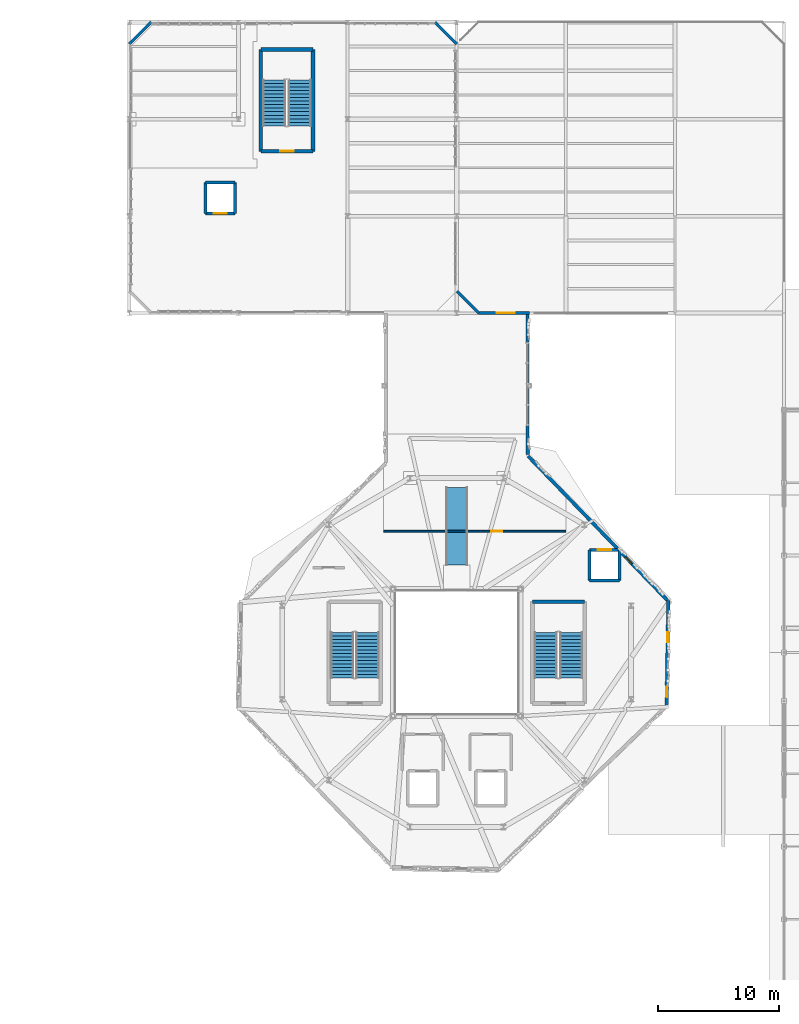
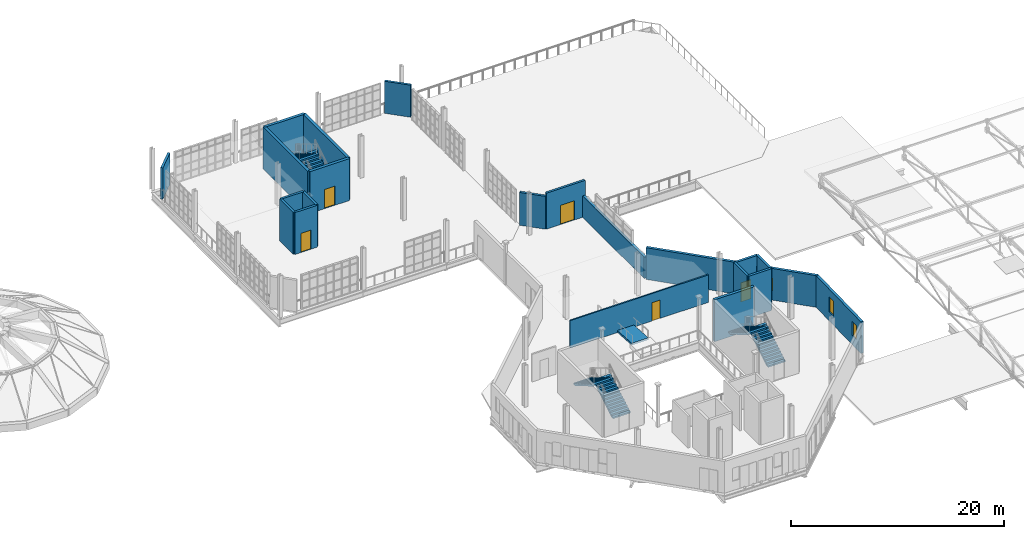
# One storey, part 76 of 85: 21 walls, 6 stair flights, 5 doors, 3 windows, 1 ramp flight, 8 openings, 4 elements without a shape of their own.
"""IFC4 building model written with IfcOpenShell, lengths in metres."""

from ifc_helpers import new_model, si_unit, direction, frame, frame_2d, origin, place, context, subcontext, project, spatial, polyline, rectangle, outline, extrude, material, layer, layer_set, type_object, element, fill, aggregate, save


model = new_model("IFC4")

# Units and contexts
model_context = context("Model", 3, precision=1e-05, world=origin(), true_north=direction((0.0, 1.0)))
body_context = subcontext(model_context, "Body", "Model", "MODEL_VIEW")
ifc_project = project(units=[si_unit("LENGTHUNIT", "METRE"), si_unit("AREAUNIT", "SQUARE_METRE"), si_unit("VOLUMEUNIT", "CUBIC_METRE"), si_unit("PLANEANGLEUNIT", "RADIAN"), si_unit("MASSUNIT", "GRAM", prefix="KILO"), si_unit("THERMODYNAMICTEMPERATUREUNIT", "KELVIN"), si_unit("POWERUNIT", "WATT")], contexts=[model_context])

# Site, building, storey
site_placement = place(None, origin())
site = spatial("IfcSite", under=ifc_project, at=site_placement, CompositionType="ELEMENT")
building_placement = place(site_placement, origin())
building = spatial("IfcBuilding", under=site, at=building_placement, Name="Zelmaris Science Centre", CompositionType="ELEMENT")
storey_placement = place(building_placement, frame((0.0, 0.0, 20.39990234375)))
storey = spatial("IfcBuildingStorey", under=building, at=storey_placement, Name="L04", CompositionType="ELEMENT", Elevation=20.39990234375)

# Wall
ifc_material_1 = material(Name="Concrete C40/50", Category="concrete")
ifc_layer_1 = layer(ifc_material_1, 0.300048828125, Name="Concrete C40/50")
ifc_layer_set_1 = layer_set([ifc_layer_1], Name="Concrete C40/50")
wall_type_1 = type_object("IfcWallType", Name="Core Shear Wall CW-S1 300mm", PredefinedType="SOLIDWALL", material=ifc_layer_set_1)
wall_1_placement = place(storey_placement, frame((91.550048828125, 40.199951171875, 0.0), z_axis=(0.0, 0.0, 1.0), x_axis=(-1.0, 0.0, 0.0)))
element("IfcWall", 1, at=wall_1_placement, inside=storey, type_object=wall_type_1, Name="L04 ST-2 core shear wall far", PredefinedType="SOLIDWALL", context=body_context, shape_type="SweptSolid", body=[
    extrude(rectangle(XDim=4.300048828125, YDim=0.300048828125, at=frame_2d((2.14990234375, 0.0))), origin(), (0.0, 0.0, 1.0), 4.800048828125),
])

# Wall, opening, door
wall_2_placement = place(storey_placement, frame((69.14990234375, 77.35009765625, 0.0), z_axis=(0.0, 0.0, 1.0), x_axis=(-1.0, 0.0, 0.0)))
wall_2 = element("IfcWall", 2, at=wall_2_placement, inside=storey, type_object=wall_type_1, Name="L04 ST-3 core shear wall near", PredefinedType="SOLIDWALL", context=body_context, shape_type="SweptSolid", body=[
    extrude(rectangle(XDim=4.2998046875, YDim=0.300048828125, at=frame_2d((2.14990234375, 0.0))), origin(), (0.0, 0.0, 1.0), 4.800048828125),
])
opening_1_placement = place(wall_2_placement, frame((1.574951171875, 0.0, 0.0)))
opening_1 = element("IfcOpeningElement", 3, at=opening_1_placement, cuts=wall_2, Name="Opening D-FD90", PredefinedType="OPENING", context=body_context, shape_type="SweptSolid", body=[
    extrude(rectangle(XDim=1.14990234375, YDim=2.199951171875, at=frame_2d((0.574951171875, 1.10009765625))), frame((0.0, 0.159912109375, 0.0), z_axis=(0.0, -1.0, 0.0), x_axis=(1.0, 0.0, 0.0)), (0.0, 0.0, 1.0), 0.320068359375),
])
ifc_material_2 = material(Name="Steel ASTM A36", Category="steel")
door_type_1 = type_object("IfcDoorType", Name="Interior Door D-FD90 1150x2200", OperationType="NOTDEFINED", PredefinedType="DOOR", material=ifc_material_2)
door_1_placement = place(opening_1_placement, origin())
door_1 = element("IfcDoor", 4, at=door_1_placement, inside=storey, type_object=door_type_1, Name="L04 ST-3 exit stair fire door", OperationType="SINGLE_SWING_RIGHT", OverallHeight=2.199951171875, OverallWidth=1.14990234375, PredefinedType="DOOR", context=body_context, shape_type="SweptSolid", body=[
    extrude(rectangle(XDim=1.14990234375, YDim=2.199951171875, at=frame_2d((0.574951171875, 1.10009765625))), frame((0.0, 0.02490234375, 0.0), z_axis=(0.0, -1.0, 0.0), x_axis=(1.0, 0.0, 0.0)), (0.0, 0.0, 1.0), 0.050048828125),
])
fill(opening_1, door_1)

# Walls
wall_3_placement = place(storey_placement, frame((69.14990234375, 77.35009765625, 0.0), z_axis=(0.0, 0.0, 1.0), x_axis=(0.0, 1.0, 0.0)))
element("IfcWall", 5, at=wall_3_placement, inside=storey, type_object=wall_type_1, Name="L04 ST-3 core shear wall east", PredefinedType="SOLIDWALL", context=body_context, shape_type="SweptSolid", body=[
    extrude(rectangle(XDim=8.39990234375, YDim=0.300048828125, at=frame_2d((4.199951171875, 0.0))), origin(), (0.0, 0.0, 1.0), 4.800048828125),
])
wall_4_placement = place(storey_placement, frame((69.14990234375, 85.75, 0.0), z_axis=(0.0, 0.0, 1.0), x_axis=(-1.0, 0.0, 0.0)))
element("IfcWall", 6, at=wall_4_placement, inside=storey, type_object=wall_type_1, Name="L04 ST-3 core shear wall far", PredefinedType="SOLIDWALL", context=body_context, shape_type="SweptSolid", body=[
    extrude(rectangle(XDim=4.2998046875, YDim=0.300048828125, at=frame_2d((2.14990234375, 0.0))), origin(), (0.0, 0.0, 1.0), 4.800048828125),
])
wall_5_placement = place(storey_placement, frame((64.85009765625, 77.35009765625, 0.0), z_axis=(0.0, 0.0, 1.0), x_axis=(0.0, 1.0, 0.0)))
element("IfcWall", 7, at=wall_5_placement, inside=storey, type_object=wall_type_1, Name="L04 ST-3 core shear wall west", PredefinedType="SOLIDWALL", context=body_context, shape_type="SweptSolid", body=[
    extrude(rectangle(XDim=8.39990234375, YDim=0.300048828125, at=frame_2d((4.199951171875, 0.0))), origin(), (0.0, 0.0, 1.0), 4.800048828125),
])
ifc_layer_2 = layer(ifc_material_1, 0.25, Name="Concrete C40/50")
ifc_layer_set_2 = layer_set([ifc_layer_2], Name="Concrete C40/50")
wall_type_2 = type_object("IfcWallType", Name="Core Shear Wall CW-S2 250mm", PredefinedType="SOLIDWALL", material=ifc_layer_set_2)
wall_6_placement = place(storey_placement, frame((91.97509765625, 41.925048828125, 0.0), z_axis=(0.0, 0.0, 1.0), x_axis=(1.0, 0.0, 0.0)))
element("IfcWall", 8, at=wall_6_placement, inside=storey, type_object=wall_type_2, Name="L04 LP-01 lift shaft wall -y", PredefinedType="SOLIDWALL", context=body_context, shape_type="SweptSolid", body=[
    extrude(rectangle(XDim=2.449951171875, YDim=0.25, at=frame_2d((1.22509765625, 0.0))), origin(), (0.0, 0.0, 1.0), 4.800048828125),
])
wall_7_placement = place(storey_placement, frame((94.425048828125, 41.925048828125, 0.0), z_axis=(0.0, 0.0, 1.0), x_axis=(0.0, 1.0, 0.0)))
element("IfcWall", 9, at=wall_7_placement, inside=storey, type_object=wall_type_2, Name="L04 LP-01 lift shaft wall +x", PredefinedType="SOLIDWALL", context=body_context, shape_type="SweptSolid", body=[
    extrude(rectangle(XDim=2.550048828125, YDim=0.25, at=frame_2d((1.27490234375, 0.0))), origin(), (0.0, 0.0, 1.0), 4.800048828125),
])

# Wall, opening, door
wall_8_placement = place(storey_placement, frame((94.425048828125, 44.47509765625, 0.0), z_axis=(0.0, 0.0, 1.0), x_axis=(-1.0, 0.0, 0.0)))
wall_8 = element("IfcWall", 10, at=wall_8_placement, inside=storey, type_object=wall_type_2, Name="L04 LP-01 lift shaft wall +y", PredefinedType="SOLIDWALL", context=body_context, shape_type="SweptSolid", body=[
    extrude(rectangle(XDim=2.449951171875, YDim=0.25, at=frame_2d((1.22509765625, 0.0))), origin(), (0.0, 0.0, 1.0), 4.800048828125),
])
opening_2_placement = place(wall_8_placement, frame((0.675048828125, 0.0, 0.0)))
opening_2 = element("IfcOpeningElement", 11, at=opening_2_placement, cuts=wall_8, Name="Opening LD-01", PredefinedType="OPENING", context=body_context, shape_type="SweptSolid", body=[
    extrude(rectangle(XDim=1.10009765625, YDim=2.199951171875, at=frame_2d((0.550048828125, 1.10009765625))), frame((0.0, 0.135009765625, 0.0), z_axis=(0.0, -1.0, 0.0), x_axis=(1.0, 0.0, 0.0)), (0.0, 0.0, 1.0), 0.27001953125),
])
door_type_2 = type_object("IfcDoorType", Name="Interior Door LD-01 1100x2200", OperationType="SLIDING_TO_LEFT", PredefinedType="DOOR", material=ifc_material_2)
door_2_placement = place(opening_2_placement, origin())
door_2 = element("IfcDoor", 12, at=door_2_placement, inside=storey, type_object=door_type_2, Name="Landing door LD-LP-01-L04", OperationType="SLIDING_TO_LEFT", OverallHeight=2.199951171875, OverallWidth=1.10009765625, PredefinedType="DOOR", context=body_context, shape_type="SweptSolid", body=[
    extrude(rectangle(XDim=1.10009765625, YDim=2.199951171875, at=frame_2d((0.550048828125, 1.10009765625))), frame((0.0, 0.02490234375, 0.0), z_axis=(0.0, -1.0, 0.0), x_axis=(1.0, 0.0, 0.0)), (0.0, 0.0, 1.0), 0.050048828125),
])
fill(opening_2, door_2)

# Wall
wall_9_placement = place(storey_placement, frame((91.97509765625, 44.47509765625, 0.0), z_axis=(0.0, 0.0, 1.0), x_axis=(0.0, -1.0, 0.0)))
element("IfcWall", 13, at=wall_9_placement, inside=storey, type_object=wall_type_2, Name="L04 LP-01 lift shaft wall -x", PredefinedType="SOLIDWALL", context=body_context, shape_type="SweptSolid", body=[
    extrude(rectangle(XDim=2.550048828125, YDim=0.25, at=frame_2d((1.27490234375, 0.0))), origin(), (0.0, 0.0, 1.0), 4.800048828125),
])

# Wall, opening, door
wall_10_placement = place(storey_placement, frame((60.27490234375, 72.22509765625, 0.0), z_axis=(0.0, 0.0, 1.0), x_axis=(1.0, 0.0, 0.0)))
wall_10 = element("IfcWall", 14, at=wall_10_placement, inside=storey, type_object=wall_type_2, Name="L04 LP-03 lift shaft wall -y", PredefinedType="SOLIDWALL", context=body_context, shape_type="SweptSolid", body=[
    extrude(rectangle(XDim=2.4501953125, YDim=0.25, at=frame_2d((1.22509765625, 0.0))), origin(), (0.0, 0.0, 1.0), 4.800048828125),
])
opening_3_placement = place(wall_10_placement, frame((0.675048828125, 0.0, 0.0)))
opening_3 = element("IfcOpeningElement", 15, at=opening_3_placement, cuts=wall_10, Name="Opening LD-01", PredefinedType="OPENING", context=body_context, shape_type="SweptSolid", body=[
    extrude(rectangle(XDim=1.10009765625, YDim=2.199951171875, at=frame_2d((0.550048828125, 1.10009765625))), frame((0.0, 0.135009765625, 0.0), z_axis=(0.0, -1.0, 0.0), x_axis=(1.0, 0.0, 0.0)), (0.0, 0.0, 1.0), 0.27001953125),
])
door_3_placement = place(opening_3_placement, origin())
door_3 = element("IfcDoor", 16, at=door_3_placement, inside=storey, type_object=door_type_2, Name="Landing door LD-LP-03-L04", OperationType="SLIDING_TO_LEFT", OverallHeight=2.199951171875, OverallWidth=1.10009765625, PredefinedType="DOOR", context=body_context, shape_type="SweptSolid", body=[
    extrude(rectangle(XDim=1.10009765625, YDim=2.199951171875, at=frame_2d((0.550048828125, 1.10009765625))), frame((0.0, 0.02490234375, 0.0), z_axis=(0.0, -1.0, 0.0), x_axis=(1.0, 0.0, 0.0)), (0.0, 0.0, 1.0), 0.050048828125),
])
fill(opening_3, door_3)

# Walls
wall_11_placement = place(storey_placement, frame((62.72509765625, 72.22509765625, 0.0), z_axis=(0.0, 0.0, 1.0), x_axis=(0.0, 1.0, 0.0)))
element("IfcWall", 17, at=wall_11_placement, inside=storey, type_object=wall_type_2, Name="L04 LP-03 lift shaft wall +x", PredefinedType="SOLIDWALL", context=body_context, shape_type="SweptSolid", body=[
    extrude(rectangle(XDim=2.5498046875, YDim=0.25, at=frame_2d((1.27490234375, 0.0))), origin(), (0.0, 0.0, 1.0), 4.800048828125),
])
wall_12_placement = place(storey_placement, frame((62.72509765625, 74.77490234375, 0.0), z_axis=(0.0, 0.0, 1.0), x_axis=(-1.0, 0.0, 0.0)))
element("IfcWall", 18, at=wall_12_placement, inside=storey, type_object=wall_type_2, Name="L04 LP-03 lift shaft wall +y", PredefinedType="SOLIDWALL", context=body_context, shape_type="SweptSolid", body=[
    extrude(rectangle(XDim=2.4501953125, YDim=0.25, at=frame_2d((1.22509765625, 0.0))), origin(), (0.0, 0.0, 1.0), 4.800048828125),
])
wall_13_placement = place(storey_placement, frame((60.27490234375, 74.77490234375, 0.0), z_axis=(0.0, 0.0, 1.0), x_axis=(0.0, -1.0, 0.0)))
element("IfcWall", 19, at=wall_13_placement, inside=storey, type_object=wall_type_2, Name="L04 LP-03 lift shaft wall -x", PredefinedType="SOLIDWALL", context=body_context, shape_type="SweptSolid", body=[
    extrude(rectangle(XDim=2.5498046875, YDim=0.25, at=frame_2d((1.27490234375, 0.0))), origin(), (0.0, 0.0, 1.0), 4.800048828125),
])
ifc_material_3 = material(Name="Precast concrete C40/50", Category="concrete")
ifc_layer_3 = layer(ifc_material_3, 0.280029296875, Name="Precast concrete C40/50")
ifc_layer_set_3 = layer_set([ifc_layer_3], Name="Precast concrete C40/50")
wall_type_3 = type_object("IfcWallType", Name="Exterior Wall EW-05 280mm", PredefinedType="SOLIDWALL", material=ifc_layer_set_3)
wall_14_placement = place(storey_placement, frame((86.83984375, 64.00390625, 0.0), z_axis=(0.0, 0.0, 1.0), x_axis=(0.000584892948, -0.99999982895, 0.0)))
element("IfcWall", 20, at=wall_14_placement, inside=storey, type_object=wall_type_3, Name="L04 Exterior wall 142", PredefinedType="SOLIDWALL", context=body_context, shape_type="SweptSolid", body=[
    extrude(rectangle(XDim=11.6875, YDim=0.280029296875, at=frame_2d((5.84375, 0.0))), origin(), (0.0, 0.0, 1.0), 2.4501953125),
])

# Wall, opening, window
wall_15_placement = place(storey_placement, frame((86.8916015625, 52.20556640625, 0.0), z_axis=(0.0, 0.0, 1.0), x_axis=(0.69454396719, -0.719450260713, 0.0)))
wall_15 = element("IfcWall", 21, at=wall_15_placement, inside=storey, type_object=wall_type_3, Name="L04 Exterior wall 143", PredefinedType="SOLIDWALL", context=body_context, shape_type="SweptSolid", body=[
    extrude(rectangle(XDim=16.722900390625, YDim=0.280029296875, at=frame_2d((8.361328125, 0.0))), origin(), (0.0, 0.0, 1.0), 3.629150390625),
])
opening_4_placement = place(wall_15_placement, frame((11.561279296875, 0.0, 1.050048828125)))
opening_4 = element("IfcOpeningElement", 22, at=opening_4_placement, cuts=wall_15, Name="Opening W-TR1", PredefinedType="OPENING", context=body_context, shape_type="SweptSolid", body=[
    extrude(rectangle(XDim=0.800048828125, YDim=1.5, at=frame_2d((0.39990234375, 0.75))), frame((0.0, 0.14990234375, 0.0), z_axis=(0.0, -1.0, 0.0), x_axis=(1.0, 0.0, 0.0)), (0.0, 0.0, 1.0), 0.300048828125),
])
ifc_material_4 = material(Name="Laminated hurricane-rated low-E insulated glazing", Category="glass")
window_type_1 = type_object("IfcWindowType", Name="Window W-TR1 800x1500", PartitioningType="SINGLE_PANEL", PredefinedType="WINDOW", material=ifc_material_4)
window_1_placement = place(opening_4_placement, origin())
window_1 = element("IfcWindow", 23, at=window_1_placement, inside=storey, type_object=window_type_1, Name="L04 Triangular faceted window 94", OverallHeight=1.5, OverallWidth=0.800048828125, PartitioningType="SINGLE_PANEL", PredefinedType="WINDOW", context=body_context, shape_type="SweptSolid", body=[
    extrude(rectangle(XDim=0.800048828125, YDim=1.5, at=frame_2d((0.39990234375, 0.75))), frame((0.0, 0.030029296875, 0.0), z_axis=(0.0, -1.0, 0.0), x_axis=(1.0, 0.0, 0.0)), (0.0, 0.0, 1.0), 0.06005859375),
])
fill(opening_4, window_1)

# Wall, openings, windows
wall_16_placement = place(storey_placement, frame((98.461669921875, 40.288330078125, 0.0), z_axis=(0.0, 0.0, 1.0), x_axis=(-0.017458142585, -0.999847595015, 0.0)))
wall_16 = element("IfcWall", 24, at=wall_16_placement, inside=storey, type_object=wall_type_3, Name="L04 Exterior wall 144", PredefinedType="SOLIDWALL", context=body_context, shape_type="SweptSolid", body=[
    extrude(rectangle(XDim=8.76806640625, YDim=0.280029296875, at=frame_2d((4.384033203125, 0.0))), origin(), (0.0, 0.0, 1.0), 3.6259765625),
])
opening_5_placement = place(wall_16_placement, frame((2.634033203125, 0.0, 1.050048828125)))
opening_5 = element("IfcOpeningElement", 25, at=opening_5_placement, cuts=wall_16, Name="Opening W-TR2", PredefinedType="OPENING", context=body_context, shape_type="SweptSolid", body=[
    extrude(rectangle(XDim=0.800048828125, YDim=1.699951171875, at=frame_2d((0.39990234375, 0.85009765625))), frame((0.0, 0.14990234375, 0.0), z_axis=(0.0, -1.0, 0.0), x_axis=(1.0, 0.0, 0.0)), (0.0, 0.0, 1.0), 0.300048828125),
])
opening_6_placement = place(wall_16_placement, frame((7.10888671875, 0.0, 1.050048828125)))
opening_6 = element("IfcOpeningElement", 26, at=opening_6_placement, cuts=wall_16, Name="Opening W-TR3", PredefinedType="OPENING", context=body_context, shape_type="SweptSolid", body=[
    extrude(rectangle(XDim=0.85009765625, YDim=1.60009765625, at=frame_2d((0.425048828125, 0.800048828125))), frame((0.0, 0.14990234375, 0.0), z_axis=(0.0, -1.0, 0.0), x_axis=(1.0, 0.0, 0.0)), (0.0, 0.0, 1.0), 0.300048828125),
])
window_type_2 = type_object("IfcWindowType", Name="Window W-TR2 800x1700", PartitioningType="SINGLE_PANEL", PredefinedType="WINDOW", material=ifc_material_4)
window_2_placement = place(opening_5_placement, origin())
window_2 = element("IfcWindow", 27, at=window_2_placement, inside=storey, type_object=window_type_2, Name="L04 Triangular faceted window 95", OverallHeight=1.699951171875, OverallWidth=0.800048828125, PartitioningType="SINGLE_PANEL", PredefinedType="WINDOW", context=body_context, shape_type="SweptSolid", body=[
    extrude(rectangle(XDim=0.800048828125, YDim=1.699951171875, at=frame_2d((0.39990234375, 0.85009765625))), frame((0.0, 0.030029296875, 0.0), z_axis=(0.0, -1.0, 0.0), x_axis=(1.0, 0.0, 0.0)), (0.0, 0.0, 1.0), 0.06005859375),
])
fill(opening_5, window_2)
window_type_3 = type_object("IfcWindowType", Name="Window W-TR3 850x1600", PartitioningType="SINGLE_PANEL", PredefinedType="WINDOW", material=ifc_material_4)
window_3_placement = place(opening_6_placement, origin())
window_3 = element("IfcWindow", 28, at=window_3_placement, inside=storey, type_object=window_type_3, Name="L04 Triangular faceted window 96", OverallHeight=1.60009765625, OverallWidth=0.85009765625, PartitioningType="SINGLE_PANEL", PredefinedType="WINDOW", context=body_context, shape_type="SweptSolid", body=[
    extrude(rectangle(XDim=0.85009765625, YDim=1.60009765625, at=frame_2d((0.425048828125, 0.800048828125))), frame((0.0, 0.030029296875, 0.0), z_axis=(0.0, -1.0, 0.0), x_axis=(1.0, 0.0, 0.0)), (0.0, 0.0, 1.0), 0.06005859375),
])
fill(opening_6, window_3)

# Walls
ifc_layer_4 = layer(ifc_material_3, 0.239990234375, Name="Precast concrete C40/50")
ifc_layer_set_4 = layer_set([ifc_layer_4], Name="Precast concrete C40/50")
wall_type_4 = type_object("IfcWallType", Name="Exterior Wall EW-07 240mm", PredefinedType="SOLIDWALL", material=ifc_layer_set_4)
wall_17_placement = place(storey_placement, frame((54.0, 86.199951171875, 0.0), z_axis=(0.0, 0.0, 1.0), x_axis=(0.707106781187, 0.707106781187, 0.0)))
element("IfcWall", 29, at=wall_17_placement, inside=storey, type_object=wall_type_4, Name="L04 Exterior wall 138", PredefinedType="SOLIDWALL", context=body_context, shape_type="SweptSolid", body=[
    extrude(rectangle(XDim=2.545654296875, YDim=0.239990234375, at=frame_2d((1.27294921875, 0.0))), origin(), (0.0, 0.0, 1.0), 3.60107421875),
])
wall_18_placement = place(storey_placement, frame((79.199951171875, 88.0, 0.0), z_axis=(0.0, 0.0, 1.0), x_axis=(0.707106781187, -0.707106781187, 0.0)))
element("IfcWall", 30, at=wall_18_placement, inside=storey, type_object=wall_type_4, Name="L04 Exterior wall 139", PredefinedType="SOLIDWALL", context=body_context, shape_type="SweptSolid", body=[
    extrude(rectangle(XDim=2.545654296875, YDim=0.239990234375, at=frame_2d((1.27294921875, 0.0))), origin(), (0.0, 0.0, 1.0), 3.674072265625),
])
wall_19_placement = place(storey_placement, frame((81.015625, 65.79638671875, 0.0), z_axis=(0.0, 0.0, 1.0), x_axis=(0.707829079761, -0.706383744041, 0.0)))
element("IfcWall", 31, at=wall_19_placement, inside=storey, type_object=wall_type_4, Name="L04 Exterior wall 140", PredefinedType="SOLIDWALL", context=body_context, shape_type="SweptSolid", body=[
    extrude(rectangle(XDim=2.53369140625, YDim=0.239990234375, at=frame_2d((1.266845703125, 0.0))), origin(), (0.0, 0.0, 1.0), 3.760986328125),
])

# Wall, opening, door
wall_20_placement = place(storey_placement, frame((82.80908203125, 64.006591796875, 0.0), z_axis=(0.0, 0.0, 1.0), x_axis=(0.999999794687, -0.000640801453, 0.0)))
wall_20 = element("IfcWall", 32, at=wall_20_placement, inside=storey, type_object=wall_type_4, Name="L04 Exterior wall 141", PredefinedType="SOLIDWALL", context=body_context, shape_type="SweptSolid", body=[
    extrude(rectangle(XDim=4.19091796875, YDim=0.239990234375, at=frame_2d((2.095458984375, 0.0))), origin(), (0.0, 0.0, 1.0), 4.130126953125),
])
opening_7_placement = place(wall_20_placement, frame((1.495361328125, 0.0, 0.0)))
opening_7 = element("IfcOpeningElement", 33, at=opening_7_placement, cuts=wall_20, Name="Opening D-EX4", PredefinedType="OPENING", context=body_context, shape_type="SweptSolid", body=[
    extrude(rectangle(XDim=1.5, YDim=2.199951171875, at=frame_2d((0.75, 1.10009765625))), frame((0.0, 0.1298828125, 0.0), z_axis=(0.0, -1.0, 0.0), x_axis=(1.0, 0.0, 0.0)), (0.0, 0.0, 1.0), 0.260009765625),
])
ifc_material_5 = material(Name="Anodised architectural aluminium 6063-T6", Category="aluminium")
door_type_3 = type_object("IfcDoorType", Name="Exterior Door D-EX4 1500x2200", OperationType="NOTDEFINED", PredefinedType="DOOR", material=ifc_material_5)
door_4_placement = place(opening_7_placement, origin())
door_4 = element("IfcDoor", 34, at=door_4_placement, inside=storey, type_object=door_type_3, Name="L04 Terrace access door T10", OperationType="SINGLE_SWING_LEFT", OverallHeight=2.199951171875, OverallWidth=1.5, PredefinedType="DOOR", context=body_context, shape_type="SweptSolid", body=[
    extrude(rectangle(XDim=1.5, YDim=2.199951171875, at=frame_2d((0.75, 1.10009765625))), frame((0.0, 0.02490234375, 0.0), z_axis=(0.0, -1.0, 0.0), x_axis=(1.0, 0.0, 0.0)), (0.0, 0.0, 1.0), 0.050048828125),
])
fill(opening_7, door_4)

ifc_material_6 = material(Name="Fire-rated gypsum board on steel studs", Category="steel")
ifc_layer_5 = layer(ifc_material_6, 0.14990234375, Name="Fire-rated gypsum board on steel studs")
ifc_layer_set_5 = layer_set([ifc_layer_5], Name="Fire-rated gypsum board on steel studs")
wall_type_5 = type_object("IfcWallType", Name="Interior Wall PT-01 150mm", PredefinedType="PARTITIONING", material=ifc_layer_set_5)
wall_21_placement = place(storey_placement, frame((90.0, 46.0, 0.0), z_axis=(0.0, 0.0, 1.0), x_axis=(-1.0, 0.0, 0.0)))
wall_21 = element("IfcWall", 35, at=wall_21_placement, inside=storey, type_object=wall_type_5, Name="L04 Satellite Earth Observation Studio partition 68", PredefinedType="PARTITIONING", context=body_context, shape_type="SweptSolid", body=[
    extrude(rectangle(XDim=15.0, YDim=0.14990234375, at=frame_2d((7.5, 0.0))), origin(), (0.0, 0.0, 1.0), 3.150146484375),
])
opening_8_placement = place(wall_21_placement, frame((5.25, 0.0, 0.0)))
opening_8 = element("IfcOpeningElement", 36, at=opening_8_placement, cuts=wall_21, Name="Opening D-IN11", PredefinedType="OPENING", context=body_context, shape_type="SweptSolid", body=[
    extrude(rectangle(XDim=0.89990234375, YDim=2.10009765625, at=frame_2d((0.449951171875, 1.050048828125))), frame((0.0, 0.0849609375, 0.0), z_axis=(0.0, -1.0, 0.0), x_axis=(1.0, 0.0, 0.0)), (0.0, 0.0, 1.0), 0.169921875),
])
ifc_material_7 = material(Name="Solid tropical tzalam hardwood", Category="wood")
door_type_4 = type_object("IfcDoorType", Name="Interior Door D-IN11 900x2100", OperationType="NOTDEFINED", PredefinedType="DOOR", material=ifc_material_7)
door_5_placement = place(opening_8_placement, origin())
door_5 = element("IfcDoor", 37, at=door_5_placement, inside=storey, type_object=door_type_4, Name="L04 Satellite Earth Observation Studio door", OperationType="SINGLE_SWING_LEFT", OverallHeight=2.10009765625, OverallWidth=0.89990234375, PredefinedType="DOOR", context=body_context, shape_type="SweptSolid", body=[
    extrude(rectangle(XDim=0.89990234375, YDim=2.10009765625, at=frame_2d((0.449951171875, 1.050048828125))), frame((0.0, 0.02490234375, 0.0), z_axis=(0.0, -1.0, 0.0), x_axis=(1.0, 0.0, 0.0)), (0.0, 0.0, 1.0), 0.050048828125),
])
fill(opening_8, door_5)

# Stair, stair flights
stair_type = type_object("IfcStairType", Name="Exit Stair ST-B W1900", PredefinedType="HALF_TURN_STAIR", material=ifc_material_1)
stair_1_placement = place(storey_placement, origin())
stair_1 = element("IfcStair", 38, at=stair_1_placement, inside=storey, type_object=stair_type, Name="L04 Exit Stair Core ST-1", PredefinedType="HALF_TURN_STAIR")
stair_flight_type = type_object("IfcStairFlightType", Name="Stair Flight ST-BF W1900", PredefinedType="STRAIGHT", material=ifc_material_1)
stair_flight_1_placement = place(storey_placement, frame((73.64990234375, 33.89990234375, 0.0), z_axis=(0.0, 0.0, 1.0), x_axis=(0.0, 1.0, 0.0)))
stair_flight_1 = element("IfcStairFlight", 39, at=stair_flight_1_placement, type_object=stair_flight_type, Name="ST-1 flight 1", NumberOfRisers=14, NumberOfTreads=13, PredefinedType="STRAIGHT", RiserHeight=0.171428571, TreadLength=0.29, context=body_context, shape_type="SweptSolid", body=[
    extrude(outline(polyline([(0.0, 0.0), (0.0, 0.17138671875), (0.2900390625, 0.17138671875), (0.2900390625, 0.3427734375), (0.580078125, 0.3427734375), (0.580078125, 0.514404296875), (0.8701171875, 0.514404296875), (0.8701171875, 0.685791015625), (1.159912109375, 0.685791015625), (1.159912109375, 0.857177734375), (1.449951171875, 0.857177734375), (1.449951171875, 1.028564453125), (1.739990234375, 1.028564453125), (1.739990234375, 1.199951171875), (2.030029296875, 1.199951171875), (2.030029296875, 1.371337890625), (2.320068359375, 1.371337890625), (2.320068359375, 1.54296875), (2.610107421875, 1.54296875), (2.610107421875, 1.71435546875), (2.89990234375, 1.71435546875), (2.89990234375, 1.8857421875), (3.18994140625, 1.8857421875), (3.18994140625, 2.05712890625), (3.47998046875, 2.05712890625), (3.47998046875, 2.228515625), (3.77001953125, 2.228515625), (3.77001953125, 2.39990234375), (3.77001953125, 2.054443359375), (0.294677734375, 0.0), (0.0, 0.0)])), frame((0.0, 0.949951171875, 0.0), z_axis=(0.0, -1.0, 0.0), x_axis=(1.0, 0.0, 0.0)), (0.0, 0.0, 1.0), 1.89990234375),
])
stair_flight_2_placement = place(storey_placement, frame((71.550048828125, 37.669921875, 2.400146484375), z_axis=(0.0, 0.0, 1.0), x_axis=(0.0, -1.0, 0.0)))
stair_flight_2 = element("IfcStairFlight", 40, at=stair_flight_2_placement, type_object=stair_flight_type, Name="ST-1 flight 2", NumberOfRisers=14, NumberOfTreads=13, PredefinedType="STRAIGHT", RiserHeight=0.171428571, TreadLength=0.29, context=body_context, shape_type="SweptSolid", body=[
    extrude(outline(polyline([(0.0, 0.0), (0.0, 0.17138671875), (0.2900390625, 0.17138671875), (0.2900390625, 0.3427734375), (0.580078125, 0.3427734375), (0.580078125, 0.514404296875), (0.8701171875, 0.514404296875), (0.8701171875, 0.685791015625), (1.159912109375, 0.685791015625), (1.159912109375, 0.857177734375), (1.449951171875, 0.857177734375), (1.449951171875, 1.028564453125), (1.739990234375, 1.028564453125), (1.739990234375, 1.199951171875), (2.030029296875, 1.199951171875), (2.030029296875, 1.371337890625), (2.320068359375, 1.371337890625), (2.320068359375, 1.54296875), (2.610107421875, 1.54296875), (2.610107421875, 1.71435546875), (2.89990234375, 1.71435546875), (2.89990234375, 1.8857421875), (3.18994140625, 1.8857421875), (3.18994140625, 2.05712890625), (3.47998046875, 2.05712890625), (3.47998046875, 2.228515625), (3.77001953125, 2.228515625), (3.77001953125, 2.39990234375), (3.77001953125, 2.054443359375), (0.294677734375, 0.0), (0.0, 0.0)])), frame((0.0, 0.949951171875, 0.0), z_axis=(0.0, -1.0, 0.0), x_axis=(1.0, 0.0, 0.0)), (0.0, 0.0, 1.0), 1.89990234375),
])
aggregate(stair_1, [stair_flight_1, stair_flight_2])

stair_2_placement = place(storey_placement, origin())
stair_2 = element("IfcStair", 41, at=stair_2_placement, inside=storey, type_object=stair_type, Name="L04 Exit Stair Core ST-2", PredefinedType="HALF_TURN_STAIR")
stair_flight_3_placement = place(storey_placement, frame((90.449951171875, 33.89990234375, 0.0), z_axis=(0.0, 0.0, 1.0), x_axis=(0.0, 1.0, 0.0)))
stair_flight_3 = element("IfcStairFlight", 42, at=stair_flight_3_placement, type_object=stair_flight_type, Name="ST-2 flight 1", NumberOfRisers=14, NumberOfTreads=13, PredefinedType="STRAIGHT", RiserHeight=0.171428571, TreadLength=0.29, context=body_context, shape_type="SweptSolid", body=[
    extrude(outline(polyline([(0.0, 0.0), (0.0, 0.17138671875), (0.2900390625, 0.17138671875), (0.2900390625, 0.3427734375), (0.580078125, 0.3427734375), (0.580078125, 0.514404296875), (0.8701171875, 0.514404296875), (0.8701171875, 0.685791015625), (1.159912109375, 0.685791015625), (1.159912109375, 0.857177734375), (1.449951171875, 0.857177734375), (1.449951171875, 1.028564453125), (1.739990234375, 1.028564453125), (1.739990234375, 1.199951171875), (2.030029296875, 1.199951171875), (2.030029296875, 1.371337890625), (2.320068359375, 1.371337890625), (2.320068359375, 1.54296875), (2.610107421875, 1.54296875), (2.610107421875, 1.71435546875), (2.89990234375, 1.71435546875), (2.89990234375, 1.8857421875), (3.18994140625, 1.8857421875), (3.18994140625, 2.05712890625), (3.47998046875, 2.05712890625), (3.47998046875, 2.228515625), (3.77001953125, 2.228515625), (3.77001953125, 2.39990234375), (3.77001953125, 2.054443359375), (0.294677734375, 0.0), (0.0, 0.0)])), frame((0.0, 0.949951171875, 0.0), z_axis=(0.0, -1.0, 0.0), x_axis=(1.0, 0.0, 0.0)), (0.0, 0.0, 1.0), 1.89990234375),
])
stair_flight_4_placement = place(storey_placement, frame((88.35009765625, 37.669921875, 2.400146484375), z_axis=(0.0, 0.0, 1.0), x_axis=(0.0, -1.0, 0.0)))
stair_flight_4 = element("IfcStairFlight", 43, at=stair_flight_4_placement, type_object=stair_flight_type, Name="ST-2 flight 2", NumberOfRisers=14, NumberOfTreads=13, PredefinedType="STRAIGHT", RiserHeight=0.171428571, TreadLength=0.29, context=body_context, shape_type="SweptSolid", body=[
    extrude(outline(polyline([(0.0, 0.0), (0.0, 0.17138671875), (0.2900390625, 0.17138671875), (0.2900390625, 0.3427734375), (0.580078125, 0.3427734375), (0.580078125, 0.514404296875), (0.8701171875, 0.514404296875), (0.8701171875, 0.685791015625), (1.159912109375, 0.685791015625), (1.159912109375, 0.857177734375), (1.449951171875, 0.857177734375), (1.449951171875, 1.028564453125), (1.739990234375, 1.028564453125), (1.739990234375, 1.199951171875), (2.030029296875, 1.199951171875), (2.030029296875, 1.371337890625), (2.320068359375, 1.371337890625), (2.320068359375, 1.54296875), (2.610107421875, 1.54296875), (2.610107421875, 1.71435546875), (2.89990234375, 1.71435546875), (2.89990234375, 1.8857421875), (3.18994140625, 1.8857421875), (3.18994140625, 2.05712890625), (3.47998046875, 2.05712890625), (3.47998046875, 2.228515625), (3.77001953125, 2.228515625), (3.77001953125, 2.39990234375), (3.77001953125, 2.054443359375), (0.294677734375, 0.0), (0.0, 0.0)])), frame((0.0, 0.949951171875, 0.0), z_axis=(0.0, -1.0, 0.0), x_axis=(1.0, 0.0, 0.0)), (0.0, 0.0, 1.0), 1.89990234375),
])
aggregate(stair_2, [stair_flight_3, stair_flight_4])

stair_3_placement = place(storey_placement, origin())
stair_3 = element("IfcStair", 44, at=stair_3_placement, inside=storey, type_object=stair_type, Name="L04 Exit Stair Core ST-3", PredefinedType="HALF_TURN_STAIR")
stair_flight_5_placement = place(storey_placement, frame((68.050048828125, 79.449951171875, 0.0), z_axis=(0.0, 0.0, 1.0), x_axis=(0.0, 1.0, 0.0)))
stair_flight_5 = element("IfcStairFlight", 45, at=stair_flight_5_placement, type_object=stair_flight_type, Name="ST-3 flight 1", NumberOfRisers=14, NumberOfTreads=13, PredefinedType="STRAIGHT", RiserHeight=0.171428571, TreadLength=0.29, context=body_context, shape_type="SweptSolid", body=[
    extrude(outline(polyline([(0.0, 0.0), (0.0, 0.17138671875), (0.2900390625, 0.17138671875), (0.2900390625, 0.3427734375), (0.580078125, 0.3427734375), (0.580078125, 0.514404296875), (0.8701171875, 0.514404296875), (0.8701171875, 0.685791015625), (1.159912109375, 0.685791015625), (1.159912109375, 0.857177734375), (1.449951171875, 0.857177734375), (1.449951171875, 1.028564453125), (1.739990234375, 1.028564453125), (1.739990234375, 1.199951171875), (2.030029296875, 1.199951171875), (2.030029296875, 1.371337890625), (2.320068359375, 1.371337890625), (2.320068359375, 1.54296875), (2.610107421875, 1.54296875), (2.610107421875, 1.71435546875), (2.89990234375, 1.71435546875), (2.89990234375, 1.8857421875), (3.18994140625, 1.8857421875), (3.18994140625, 2.05712890625), (3.47998046875, 2.05712890625), (3.47998046875, 2.228515625), (3.77001953125, 2.228515625), (3.77001953125, 2.39990234375), (3.77001953125, 2.054443359375), (0.294677734375, 0.0), (0.0, 0.0)])), frame((0.0, 0.949951171875, 0.0), z_axis=(0.0, -1.0, 0.0), x_axis=(1.0, 0.0, 0.0)), (0.0, 0.0, 1.0), 1.89990234375),
])
stair_flight_6_placement = place(storey_placement, frame((65.949951171875, 83.219970703125, 2.400146484375), z_axis=(0.0, 0.0, 1.0), x_axis=(0.0, -1.0, 0.0)))
stair_flight_6 = element("IfcStairFlight", 46, at=stair_flight_6_placement, type_object=stair_flight_type, Name="ST-3 flight 2", NumberOfRisers=14, NumberOfTreads=13, PredefinedType="STRAIGHT", RiserHeight=0.171428571, TreadLength=0.29, context=body_context, shape_type="SweptSolid", body=[
    extrude(outline(polyline([(0.0, 0.0), (0.0, 0.17138671875), (0.2900390625, 0.17138671875), (0.2900390625, 0.3427734375), (0.580078125, 0.3427734375), (0.580078125, 0.514404296875), (0.8701171875, 0.514404296875), (0.8701171875, 0.685791015625), (1.159912109375, 0.685791015625), (1.159912109375, 0.857177734375), (1.449951171875, 0.857177734375), (1.449951171875, 1.028564453125), (1.739990234375, 1.028564453125), (1.739990234375, 1.199951171875), (2.030029296875, 1.199951171875), (2.030029296875, 1.371337890625), (2.320068359375, 1.371337890625), (2.320068359375, 1.54296875), (2.610107421875, 1.54296875), (2.610107421875, 1.71435546875), (2.89990234375, 1.71435546875), (2.89990234375, 1.8857421875), (3.18994140625, 1.8857421875), (3.18994140625, 2.05712890625), (3.47998046875, 2.05712890625), (3.47998046875, 2.228515625), (3.77001953125, 2.228515625), (3.77001953125, 2.39990234375), (3.77001953125, 2.054443359375), (0.294677734375, 0.0), (0.0, 0.0)])), frame((0.0, 0.949951171875, 0.0), z_axis=(0.0, -1.0, 0.0), x_axis=(1.0, 0.0, 0.0)), (0.0, 0.0, 1.0), 1.89990234375),
])
aggregate(stair_3, [stair_flight_5, stair_flight_6])

# Ramp, ramp flight
ramp_type = type_object("IfcRampType", Name="Accessible Ramp RMP-01 W1800", PredefinedType="STRAIGHT_RUN_RAMP", material=ifc_material_1)
ramp_placement = place(storey_placement, origin())
ramp = element("IfcRamp", 47, at=ramp_placement, inside=storey, type_object=ramp_type, Name="L04 Atrium overlook ramp", PredefinedType="STRAIGHT_RUN_RAMP")
ifc_layer_6 = layer(ifc_material_1, 0.219970703125, Name="Concrete C40/50")
ifc_layer_set_6 = layer_set([ifc_layer_6], Name="Concrete C40/50")
ramp_flight_type = type_object("IfcRampFlightType", Name="Ramp Flight RMF-01 W1800", PredefinedType="STRAIGHT", material=ifc_layer_set_6)
ramp_flight_placement = place(storey_placement, frame((81.0, 49.60009765625, 0.0), z_axis=(0.0, 0.0, 1.0), x_axis=(0.0, -1.0, 0.0)))
ramp_flight = element("IfcRampFlight", 48, at=ramp_flight_placement, type_object=ramp_flight_type, Name="L04 Atrium overlook ramp flight", PredefinedType="STRAIGHT", context=body_context, shape_type="SweptSolid", body=[
    extrude(outline(polyline([(0.0, 0.0), (6.39990234375, 0.419921875), (6.39990234375, 0.199951171875), (0.0, -0.219970703125), (0.0, 0.0)])), frame((0.0, 0.89990234375, 0.0), z_axis=(0.0, -1.0, 0.0), x_axis=(1.0, 0.0, 0.0)), (0.0, 0.0, 1.0), 1.800048828125),
])
aggregate(ramp, [ramp_flight])

save(model, "model.ifc")
